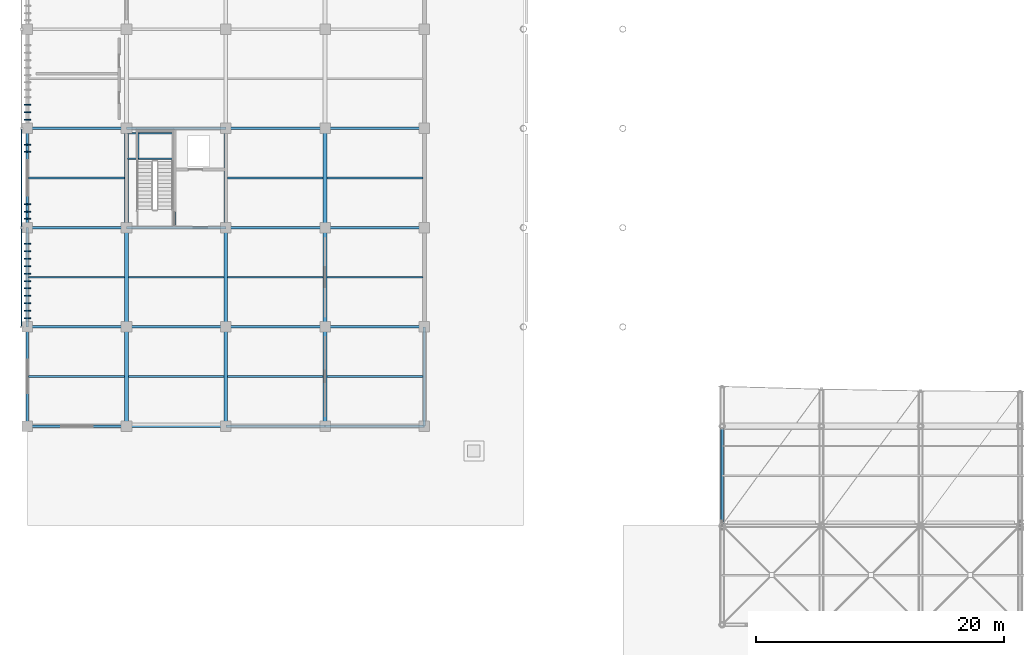
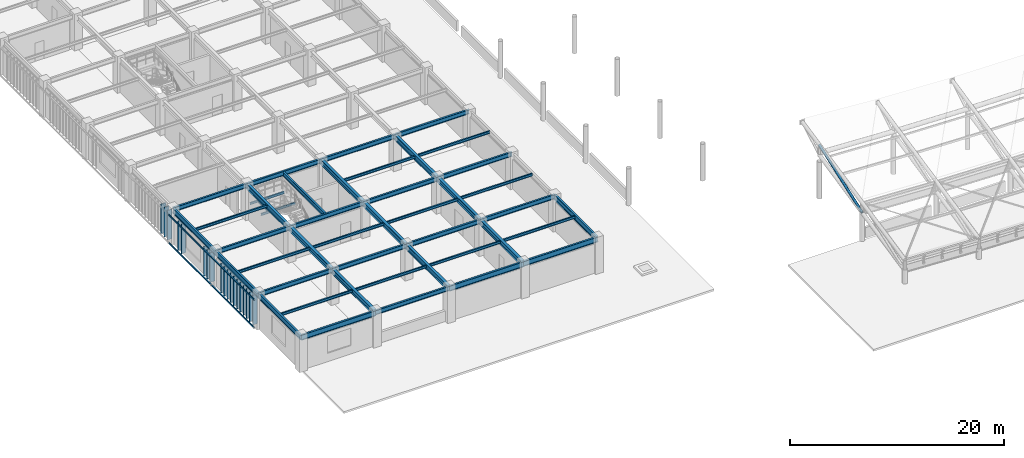
# One storey, part 20 of 78: 44 beams, 24 members.
"""IFC4 building model written with IfcOpenShell, lengths in metres."""

from ifc_helpers import new_model, si_unit, direction, frame, origin, origin_2d, place, context, subcontext, project, spatial, rectangle, hollow_rectangle, hollow_circle, i_section, extrude, material, material_profile, profile_set, type_object, element, save


model = new_model("IFC4")

# Units and contexts
model_context = context("Model", 3, precision=1e-05, world=origin(), true_north=direction((0.0, 1.0)))
body_context = subcontext(model_context, "Body", "Model", "MODEL_VIEW")
ifc_project = project(units=[si_unit("LENGTHUNIT", "METRE"), si_unit("AREAUNIT", "SQUARE_METRE"), si_unit("VOLUMEUNIT", "CUBIC_METRE"), si_unit("PLANEANGLEUNIT", "RADIAN"), si_unit("MASSUNIT", "GRAM", prefix="KILO")], contexts=[model_context])

# Site, building, storey
site_placement = place(None, origin())
site = spatial("IfcSite", under=ifc_project, at=site_placement, CompositionType="ELEMENT")
building_placement = place(site_placement, origin())
building = spatial("IfcBuilding", under=site, at=building_placement, Name="Haebicheon Civic Stadium", CompositionType="ELEMENT")
storey_placement = place(building_placement, frame((0.0, 0.0, 18.60009765625)))
storey = spatial("IfcBuildingStorey", under=building, at=storey_placement, Name="L05", CompositionType="ELEMENT", Elevation=18.60009765625)

# Beams
ifc_material_1 = material(Name="Steel SM355 (S355)", Category="steel")
ifc_material_profile_1 = material_profile(ifc_material_1, i_section(OverallWidth=0.199951171875, OverallDepth=0.5, WebThickness=0.010009765625, FlangeThickness=0.01611328125, at=origin_2d()), Name="H-500x200x10x16")
ifc_profile_set_1 = profile_set([ifc_material_profile_1], Name="Steel SM355 (S355)")
beam_type_1 = type_object("IfcBeamType", Name="BM-ST-H500", PredefinedType="BEAM", material=ifc_profile_set_1)
for number, where, z_axis, x_axis, name in (
    (1, (24.0, 48.0, 3.699951171875), (1.0, 0.0, 0.0), (0.0, 1.0, 0.0), "L05 beam G/4-5"),
    (2, (24.0, 56.0, 3.699951171875), (1.0, 0.0, 0.0), (0.0, 1.0, 0.0), "L05 beam H/4-5"),
    (3, (24.0, 64.0, 3.699951171875), (1.0, 0.0, 0.0), (0.0, 1.0, 0.0), "L05 beam J/4-5"),
    (4, (32.0, 40.0, 3.699951171875), (1.0, 0.0, 0.0), (0.0, 1.0, 0.0), "L05 beam F/5-6"),
    (5, (32.0, 48.0, 3.699951171875), (1.0, 0.0, 0.0), (0.0, 1.0, 0.0), "L05 beam G/5-6"),
    (6, (32.0, 56.0, 3.699951171875), (1.0, 0.0, 0.0), (0.0, 1.0, 0.0), "L05 beam H/5-6"),
    (7, (32.0, 64.0, 3.699951171875), (1.0, 0.0, 0.0), (0.0, 1.0, 0.0), "L05 beam J/5-6"),
    (8, (40.0, 48.0, 3.699951171875), (1.0, 0.0, 0.0), (0.0, 1.0, 0.0), "L05 beam G/6-7"),
    (9, (40.0, 56.0, 3.699951171875), (1.0, 0.0, 0.0), (0.0, 1.0, 0.0), "L05 beam H/6-7"),
    (10, (40.0, 64.0, 3.699951171875), (1.0, 0.0, 0.0), (0.0, 1.0, 0.0), "L05 beam J/6-7"),
    (11, (48.0, 48.0, 3.72998046875), (1.0, 0.0, 0.0), (0.0, 1.0, 0.0), "L05 beam G/7-8"),
    (12, (48.0, 56.0, 3.72998046875), (1.0, 0.0, 0.0), (0.0, 1.0, 0.0), "L05 beam H/7-8"),
    (13, (48.0, 64.0, 3.72998046875), (1.0, 0.0, 0.0), (0.0, 1.0, 0.0), "L05 beam J/7-8"),
):
    element("IfcBeam", number, at=place(storey_placement, frame(where, z_axis=z_axis, x_axis=x_axis)), inside=storey, type_object=beam_type_1, material=ifc_profile_set_1, Name=name, PredefinedType="BEAM", context=body_context, shape_type="SweptSolid", body=[
        extrude(i_section(OverallWidth=0.199951171875, OverallDepth=0.5, WebThickness=0.010009765625, FlangeThickness=0.01611328125, at=origin_2d()), origin(), (0.0, 0.0, 1.0), 8.0),
    ])
beam_1_placement = place(storey_placement, frame((35.8798828125, 56.10009765625, 3.699951171875), z_axis=(0.0, 1.0, 0.0), x_axis=(-1.0, 0.0, 0.0)))
element("IfcBeam", 14, at=beam_1_placement, inside=storey, type_object=beam_type_1, material=ifc_profile_set_1, Name="L05 KC-02 core dividing wall support beam", PredefinedType="BEAM", context=body_context, shape_type="SweptSolid", body=[
    extrude(i_section(OverallWidth=0.199951171875, OverallDepth=0.5, WebThickness=0.010009765625, FlangeThickness=0.01611328125, at=origin_2d()), origin(), (0.0, 0.0, 1.0), 7.7998046875),
])
ifc_material_2 = material(Name="Steel SM355 (S355)", Category="steel")
ifc_material_profile_2 = material_profile(ifc_material_2, i_section(OverallWidth=0.300048828125, OverallDepth=0.60009765625, WebThickness=0.011962890625, FlangeThickness=0.02001953125, at=origin_2d()), Name="H-600x300x12x20")
ifc_profile_set_2 = profile_set([ifc_material_profile_2], Name="Steel SM355 (S355)")
beam_type_2 = type_object("IfcBeamType", Name="BM-ST-H600A", PredefinedType="BEAM", material=ifc_profile_set_2)
for number, where, z_axis, x_axis, name in (
    (15, (32.0, 40.0, 3.64990234375), (0.0, 1.0, 0.0), (-1.0, 0.0, 0.0), "L05 girder 5/F-G"),
    (16, (32.0, 48.0, 3.64990234375), (0.0, 1.0, 0.0), (-1.0, 0.0, 0.0), "L05 girder 5/G-H"),
    (17, (32.0, 56.0, 3.64990234375), (0.0, 1.0, 0.0), (-1.0, 0.0, 0.0), "L05 girder 5/H-J"),
    (18, (40.0, 40.0, 3.64990234375), (0.0, 1.0, 0.0), (-1.0, 0.0, 0.0), "L05 girder 6/F-G"),
    (19, (40.0, 48.0, 3.64990234375), (0.0, 1.0, 0.0), (-1.0, 0.0, 0.0), "L05 girder 6/G-H"),
    (20, (40.0, 56.0, 3.64990234375), (0.0, 1.0, 0.0), (-1.0, 0.0, 0.0), "L05 girder 6/H-J"),
    (21, (48.0, 40.0, 3.64990234375), (0.0, 1.0, 0.0), (-1.0, 0.0, 0.0), "L05 girder 7/F-G"),
    (22, (48.0, 48.0, 3.64990234375), (0.0, 1.0, 0.0), (-1.0, 0.0, 0.0), "L05 girder 7/G-H"),
    (23, (48.0, 56.0, 3.64990234375), (0.0, 1.0, 0.0), (-1.0, 0.0, 0.0), "L05 girder 7/H-J"),
):
    element("IfcBeam", number, at=place(storey_placement, frame(where, z_axis=z_axis, x_axis=x_axis)), inside=storey, type_object=beam_type_2, material=ifc_profile_set_2, Name=name, PredefinedType="BEAM", context=body_context, shape_type="SweptSolid", body=[
        extrude(i_section(OverallWidth=0.300048828125, OverallDepth=0.60009765625, WebThickness=0.011962890625, FlangeThickness=0.02001953125, at=origin_2d()), origin(), (0.0, 0.0, 1.0), 8.0),
    ])

# Member
ifc_material_3 = material(Name="White painted steel SM490", Category="steel")
ifc_material_profile_3 = material_profile(ifc_material_3, hollow_circle(Radius=0.1337890625, WallThickness=0.011962890625, at=origin_2d()), Name="CHS-267.4x12.0")
ifc_profile_set_3 = profile_set([ifc_material_profile_3], Name="White painted steel SM490")
member_type_1 = type_object("IfcMemberType", Name="BRC-CHS267", PredefinedType="BRACE", material=ifc_profile_set_3)
member_placement = place(storey_placement, frame((80.0, 32.0, 3.156982421875), z_axis=(0.0, 0.9412665544, 0.3376644393), x_axis=(-1.0, 0.0, 0.0)))
element("IfcMember", 24, at=member_placement, inside=storey, type_object=member_type_1, material=ifc_profile_set_3, Name="BR267 diagonal brace CAN-SOUTH truss 1 D2", PredefinedType="BRACE", context=body_context, shape_type="SweptSolid", body=[
    extrude(hollow_circle(Radius=0.1337890625, WallThickness=0.011962890625, at=origin_2d()), origin(), (0.0, 0.0, 1.0), 8.499267578125),
])

# Beams
ifc_material_4 = material(Name="Steel SM355 (S355)", Category="steel")
ifc_material_profile_4 = material_profile(ifc_material_4, i_section(OverallWidth=0.125, OverallDepth=0.25, WebThickness=0.006103515625, FlangeThickness=0.009033203125, at=origin_2d()), Name="H-250x125x6x9")
ifc_profile_set_4 = profile_set([ifc_material_profile_4], Name="Steel SM355 (S355)")
beam_type_3 = type_object("IfcBeamType", Name="JST-ST-H250", PredefinedType="JOIST", material=ifc_profile_set_4)
for number, where, z_axis, x_axis, name in (
    (25, (32.080078125, 61.570068359375, 1.77197265625), (1.0, 0.0, 0.0), (0.0, 1.0, 0.0), "KC-02 L05 stair half-landing front trimmer beam"),
    (26, (32.080078125, 63.6201171875, 1.77197265625), (1.0, 0.0, 0.0), (0.0, 1.0, 0.0), "KC-02 L05 stair half-landing rear trimmer beam"),
):
    element("IfcBeam", number, at=place(storey_placement, frame(where, z_axis=z_axis, x_axis=x_axis)), inside=storey, type_object=beam_type_3, material=ifc_profile_set_4, Name=name, PredefinedType="JOIST", context=body_context, shape_type="SweptSolid", body=[
        extrude(i_section(OverallWidth=0.125, OverallDepth=0.25, WebThickness=0.006103515625, FlangeThickness=0.009033203125, at=origin_2d()), origin(), (0.0, 0.0, 1.0), 3.719970703125),
    ])
beam_2_placement = place(storey_placement, frame((32.9599609375, 61.570068359375, 1.77197265625), z_axis=(0.0, 1.0, 0.0), x_axis=(-1.0, 0.0, 0.0)))
element("IfcBeam", 27, at=beam_2_placement, inside=storey, type_object=beam_type_3, material=ifc_profile_set_4, Name="KC-02 L05 stair half-landing transverse tie beam", PredefinedType="JOIST", context=body_context, shape_type="SweptSolid", body=[
    extrude(i_section(OverallWidth=0.125, OverallDepth=0.25, WebThickness=0.006103515625, FlangeThickness=0.009033203125, at=origin_2d()), origin(), (0.0, 0.0, 1.0), 2.050048828125),
])
ifc_material_5 = material(Name="Steel SM355 (S355)", Category="steel")
ifc_material_profile_5 = material_profile(ifc_material_5, i_section(OverallWidth=0.14990234375, OverallDepth=0.300048828125, WebThickness=0.006591796875, FlangeThickness=0.009033203125, at=origin_2d()), Name="H-300x150x6.5x9")
ifc_profile_set_5 = profile_set([ifc_material_profile_5], Name="Steel SM355 (S355)")
beam_type_4 = type_object("IfcBeamType", Name="JST-ST-H300", PredefinedType="JOIST", material=ifc_profile_set_5)
for number, where, z_axis, x_axis, name in (
    (28, (24.10009765625, 44.0, 3.7998046875), (1.0, 0.0, 0.0), (0.0, 1.0, 0.0), "L05 secondary joist 03-05"),
    (29, (24.10009765625, 52.0, 3.7998046875), (1.0, 0.0, 0.0), (0.0, 1.0, 0.0), "L05 secondary joist 03-06"),
    (30, (24.10009765625, 60.0, 3.7998046875), (1.0, 0.0, 0.0), (0.0, 1.0, 0.0), "L05 secondary joist 03-07"),
):
    element("IfcBeam", number, at=place(storey_placement, frame(where, z_axis=z_axis, x_axis=x_axis)), inside=storey, type_object=beam_type_4, material=ifc_profile_set_5, Name=name, PredefinedType="JOIST", context=body_context, shape_type="SweptSolid", body=[
        extrude(i_section(OverallWidth=0.14990234375, OverallDepth=0.300048828125, WebThickness=0.006591796875, FlangeThickness=0.009033203125, at=origin_2d()), origin(), (0.0, 0.0, 1.0), 7.75),
    ])
for number, where, z_axis, x_axis, name in (
    (31, (32.14990234375, 44.0, 3.7998046875), (1.0, 0.0, 0.0), (0.0, 1.0, 0.0), "L05 secondary joist 04-05"),
    (32, (32.14990234375, 52.0, 3.7998046875), (1.0, 0.0, 0.0), (0.0, 1.0, 0.0), "L05 secondary joist 04-06"),
    (33, (40.14990234375, 44.0, 3.7998046875), (1.0, 0.0, 0.0), (0.0, 1.0, 0.0), "L05 secondary joist 05-05"),
    (34, (40.14990234375, 52.0, 3.7998046875), (1.0, 0.0, 0.0), (0.0, 1.0, 0.0), "L05 secondary joist 05-06"),
    (35, (40.14990234375, 60.0, 3.7998046875), (1.0, 0.0, 0.0), (0.0, 1.0, 0.0), "L05 secondary joist 05-07"),
):
    element("IfcBeam", number, at=place(storey_placement, frame(where, z_axis=z_axis, x_axis=x_axis)), inside=storey, type_object=beam_type_4, material=ifc_profile_set_5, Name=name, PredefinedType="JOIST", context=body_context, shape_type="SweptSolid", body=[
        extrude(i_section(OverallWidth=0.14990234375, OverallDepth=0.300048828125, WebThickness=0.006591796875, FlangeThickness=0.009033203125, at=origin_2d()), origin(), (0.0, 0.0, 1.0), 7.7001953125),
    ])
for number, where, z_axis, x_axis, name in (
    (36, (48.14990234375, 44.0, 3.829833984375), (1.0, 0.0, 0.0), (0.0, 1.0, 0.0), "L05 secondary joist 06-05"),
    (37, (48.14990234375, 52.0, 3.829833984375), (1.0, 0.0, 0.0), (0.0, 1.0, 0.0), "L05 secondary joist 06-06"),
    (38, (48.14990234375, 60.0, 3.829833984375), (1.0, 0.0, 0.0), (0.0, 1.0, 0.0), "L05 secondary joist 06-07"),
):
    element("IfcBeam", number, at=place(storey_placement, frame(where, z_axis=z_axis, x_axis=x_axis)), inside=storey, type_object=beam_type_4, material=ifc_profile_set_5, Name=name, PredefinedType="JOIST", context=body_context, shape_type="SweptSolid", body=[
        extrude(i_section(OverallWidth=0.14990234375, OverallDepth=0.300048828125, WebThickness=0.006591796875, FlangeThickness=0.009033203125, at=origin_2d()), origin(), (0.0, 0.0, 1.0), 7.75),
    ])

# Members
ifc_material_6 = material(Name="Acetylated timber GL28h", Category="wood")
ifc_material_profile_6 = material_profile(ifc_material_6, rectangle(XDim=0.080078125, YDim=0.52001953125, at=origin_2d()), Name="TMB-LOUV-80x520")
ifc_profile_set_6 = profile_set([ifc_material_profile_6], Name="Acetylated timber GL28h")
member_type_2 = type_object("IfcMemberType", Name="LVR-TIM-520x80", PredefinedType="PLATE", material=ifc_profile_set_6)
for number, where, z_axis, x_axis, name in (
    (39, (24.02001953125, 48.699951171875, -0.1201171875), (0.0, 0.0, 1.0), (0.0, 1.0, 0.0), "SCR-WEST L05 acetylated timber storm louvre fin 1.1"),
    (40, (24.02001953125, 49.300048828125, -0.1201171875), (0.0, 0.0, 1.0), (0.0, 1.0, 0.0), "SCR-WEST L05 acetylated timber storm louvre fin 1.2"),
    (41, (24.02001953125, 49.89990234375, -0.1201171875), (0.0, 0.0, 1.0), (0.0, 1.0, 0.0), "SCR-WEST L05 acetylated timber storm louvre fin 1.3"),
    (42, (24.02001953125, 50.5, -0.1201171875), (0.0, 0.0, 1.0), (0.0, 1.0, 0.0), "SCR-WEST L05 acetylated timber storm louvre fin 1.4"),
    (43, (24.02001953125, 51.10009765625, -0.1201171875), (0.0, 0.0, 1.0), (0.0, 1.0, 0.0), "SCR-WEST L05 acetylated timber storm louvre fin 1.5"),
    (44, (24.02001953125, 51.699951171875, -0.1201171875), (0.0, 0.0, 1.0), (0.0, 1.0, 0.0), "SCR-WEST L05 acetylated timber storm louvre fin 1.6"),
    (45, (24.02001953125, 52.300048828125, -0.1201171875), (0.0, 0.0, 1.0), (0.0, 1.0, 0.0), "SCR-WEST L05 acetylated timber storm louvre fin 1.7"),
    (46, (24.02001953125, 52.89990234375, -0.1201171875), (0.0, 0.0, 1.0), (0.0, 1.0, 0.0), "SCR-WEST L05 acetylated timber storm louvre fin 1.8"),
    (47, (24.02001953125, 53.5, -0.1201171875), (0.0, 0.0, 1.0), (0.0, 1.0, 0.0), "SCR-WEST L05 acetylated timber storm louvre fin 1.9"),
    (48, (24.02001953125, 54.10009765625, -0.1201171875), (0.0, 0.0, 1.0), (0.0, 1.0, 0.0), "SCR-WEST L05 acetylated timber storm louvre fin 1.10"),
    (49, (24.02001953125, 54.699951171875, -0.1201171875), (0.0, 0.0, 1.0), (0.0, 1.0, 0.0), "SCR-WEST L05 acetylated timber storm louvre fin 1.11"),
    (50, (24.02001953125, 56.699951171875, -0.1201171875), (0.0, 0.0, 1.0), (0.0, 1.0, 0.0), "SCR-WEST L05 acetylated timber storm louvre fin 2.1"),
    (51, (24.02001953125, 57.300048828125, -0.1201171875), (0.0, 0.0, 1.0), (0.0, 1.0, 0.0), "SCR-WEST L05 acetylated timber storm louvre fin 2.2"),
    (52, (24.02001953125, 57.89990234375, -0.1201171875), (0.0, 0.0, 1.0), (0.0, 1.0, 0.0), "SCR-WEST L05 acetylated timber storm louvre fin 2.3"),
    (53, (24.02001953125, 62.10009765625, -0.1201171875), (0.0, 0.0, 1.0), (0.0, 1.0, 0.0), "SCR-WEST L05 acetylated timber storm louvre fin 2.10"),
    (54, (24.02001953125, 62.699951171875, -0.1201171875), (0.0, 0.0, 1.0), (0.0, 1.0, 0.0), "SCR-WEST L05 acetylated timber storm louvre fin 2.11"),
    (55, (24.02001953125, 64.699951171875, -0.1201171875), (0.0, 0.0, 1.0), (0.0, 1.0, 0.0), "SCR-WEST L05 acetylated timber storm louvre fin 3.1"),
    (56, (24.02001953125, 65.300048828125, -0.1201171875), (0.0, 0.0, 1.0), (0.0, 1.0, 0.0), "SCR-WEST L05 acetylated timber storm louvre fin 3.2"),
    (57, (24.02001953125, 65.89990234375, -0.1201171875), (0.0, 0.0, 1.0), (0.0, 1.0, 0.0), "SCR-WEST L05 acetylated timber storm louvre fin 3.3"),
):
    element("IfcMember", number, at=place(storey_placement, frame(where, z_axis=z_axis, x_axis=x_axis)), inside=storey, type_object=member_type_2, material=ifc_profile_set_6, Name=name, PredefinedType="PLATE", context=body_context, shape_type="SweptSolid", body=[
        extrude(rectangle(XDim=0.080078125, YDim=0.52001953125, at=origin_2d()), origin(), (0.0, 0.0, 1.0), 3.3701171875),
    ])

# Beams
ifc_material_7 = material(Name="Steel SM355 (S355)", Category="steel")
ifc_material_profile_7 = material_profile(ifc_material_7, i_section(OverallWidth=0.199951171875, OverallDepth=0.60009765625, WebThickness=0.010986328125, FlangeThickness=0.01708984375, at=origin_2d()), Name="H-600x200x11x17")
ifc_profile_set_7 = profile_set([ifc_material_profile_7], Name="Steel SM355 (S355)")
beam_type_5 = type_object("IfcBeamType", Name="SPD-ST-H600B", PredefinedType="SPANDREL", material=ifc_profile_set_7)
for number, where, z_axis, x_axis, name in (
    (58, (24.0, 40.0, 3.64990234375), (0.0, 1.0, 0.0), (-1.0, 0.0, 0.0), "L05 girder 4/F-G"),
    (59, (24.0, 48.0, 3.64990234375), (0.0, 1.0, 0.0), (-1.0, 0.0, 0.0), "L05 girder 4/G-H"),
    (60, (24.0, 56.0, 3.64990234375), (0.0, 1.0, 0.0), (-1.0, 0.0, 0.0), "L05 girder 4/H-J"),
    (61, (56.0, 40.0, 3.679931640625), (0.0, 1.0, 0.0), (-1.0, 0.0, 0.0), "L05 girder 8/F-G"),
    (62, (24.0, 40.0, 3.64990234375), (1.0, 0.0, 0.0), (0.0, 1.0, 0.0), "L05 beam F/4-5"),
    (63, (40.0, 40.0, 3.64990234375), (1.0, 0.0, 0.0), (0.0, 1.0, 0.0), "L05 beam F/6-7"),
    (64, (48.0, 40.0, 3.679931640625), (1.0, 0.0, 0.0), (0.0, 1.0, 0.0), "L05 beam F/7-8"),
):
    element("IfcBeam", number, at=place(storey_placement, frame(where, z_axis=z_axis, x_axis=x_axis)), inside=storey, type_object=beam_type_5, material=ifc_profile_set_7, Name=name, PredefinedType="SPANDREL", context=body_context, shape_type="SweptSolid", body=[
        extrude(i_section(OverallWidth=0.199951171875, OverallDepth=0.60009765625, WebThickness=0.010986328125, FlangeThickness=0.01708984375, at=origin_2d()), origin(), (0.0, 0.0, 1.0), 8.0),
    ])

# Members
ifc_material_8 = material(Name="Steel SM355 (S355)", Category="steel")
ifc_material_profile_8 = material_profile(ifc_material_8, hollow_rectangle(XDim=0.10009765625, YDim=0.14990234375, WallThickness=0.006103515625, at=origin_2d()), Name="RHS-150x100x6.0")
ifc_profile_set_8 = profile_set([ifc_material_profile_8], Name="Steel SM355 (S355)")
member_type_3 = type_object("IfcMemberType", Name="SUB-RHS150", PredefinedType="STRINGER", material=ifc_profile_set_8)
for number, where, z_axis, x_axis, name in (
    (65, (23.534912109375, 48.0, 0.059814453125), (0.0, 1.0, 0.0), (-1.0, 0.0, 0.0), "SCR-WEST L05 storm-louvre bottom carrier rail 1"),
    (66, (23.534912109375, 48.0, 3.25), (0.0, 1.0, 0.0), (-1.0, 0.0, 0.0), "SCR-WEST L05 storm-louvre top carrier rail 1"),
    (67, (23.534912109375, 56.0, 0.059814453125), (0.0, 1.0, 0.0), (-1.0, 0.0, 0.0), "SCR-WEST L05 storm-louvre bottom carrier rail 2"),
    (68, (23.534912109375, 56.0, 3.25), (0.0, 1.0, 0.0), (-1.0, 0.0, 0.0), "SCR-WEST L05 storm-louvre top carrier rail 2"),
):
    element("IfcMember", number, at=place(storey_placement, frame(where, z_axis=z_axis, x_axis=x_axis)), inside=storey, type_object=member_type_3, material=ifc_profile_set_8, Name=name, PredefinedType="STRINGER", context=body_context, shape_type="SweptSolid", body=[
        extrude(hollow_rectangle(XDim=0.10009765625, YDim=0.14990234375, WallThickness=0.006103515625, at=origin_2d()), origin(), (0.0, 0.0, 1.0), 8.0),
    ])

save(model, "model.ifc")
